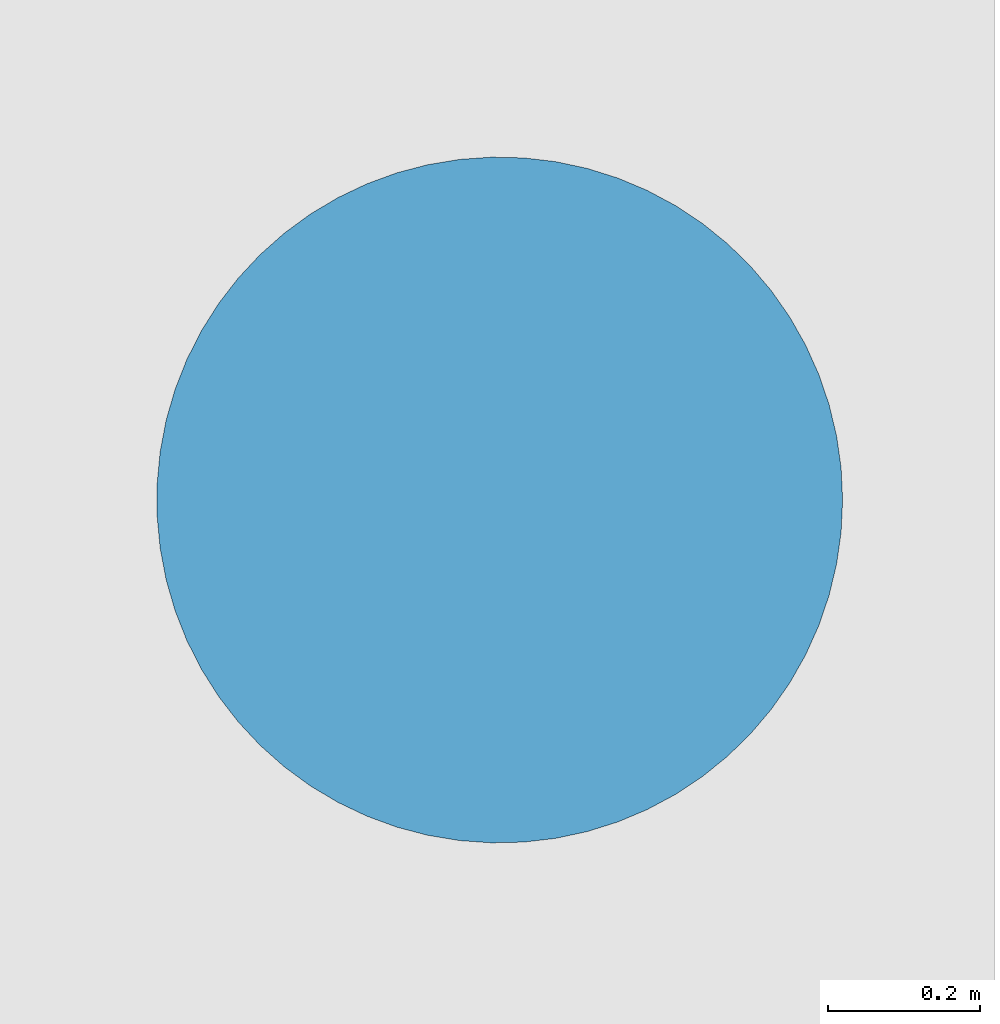
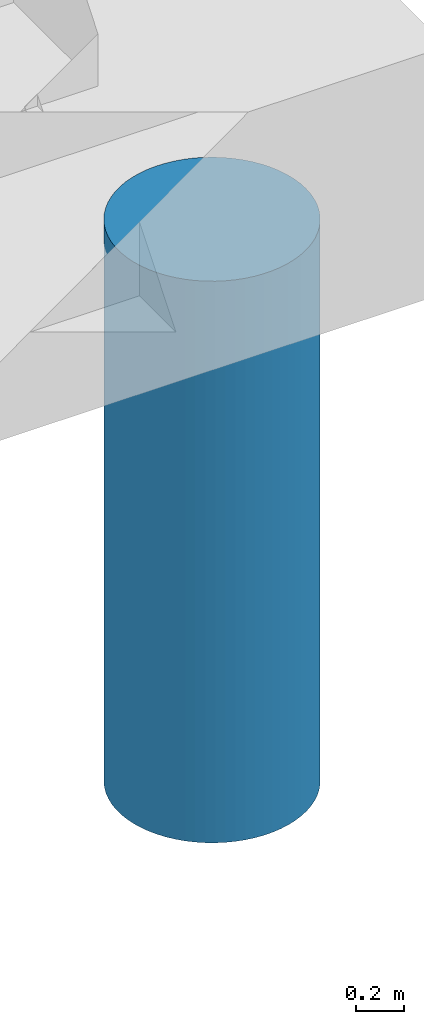
# One storey, part 13 of 61: 1 pile.
"""IFC4 building model written with IfcOpenShell, lengths in metres."""

from ifc_helpers import new_model, si_unit, direction, frame, origin, origin_2d, place, context, subcontext, project, spatial, circle, extrude, material, material_profile, profile_set, type_object, element, save


model = new_model("IFC4")

# Units and contexts
model_context = context("Model", 3, precision=1e-05, world=origin(), true_north=direction((0.0, 1.0)))
body_context = subcontext(model_context, "Body", "Model", "MODEL_VIEW")
ifc_project = project(units=[si_unit("LENGTHUNIT", "METRE"), si_unit("AREAUNIT", "SQUARE_METRE"), si_unit("VOLUMEUNIT", "CUBIC_METRE"), si_unit("PLANEANGLEUNIT", "RADIAN"), si_unit("MASSUNIT", "GRAM", prefix="KILO")], contexts=[model_context])

# Site, building, storey
site_placement = place(None, origin())
site = spatial("IfcSite", under=ifc_project, at=site_placement, CompositionType="ELEMENT")
building_placement = place(site_placement, origin())
building = spatial("IfcBuilding", under=site, at=building_placement, Name="Calvrana Isthmian Art Gallery", CompositionType="ELEMENT")
storey_placement = place(building_placement, frame((0.0, 0.0, -5.39990234375)))
storey = spatial("IfcBuildingStorey", under=building, at=storey_placement, Name="B1", CompositionType="ELEMENT", Elevation=-5.39990234375)

# Pile
ifc_material = material(Name="Concrete C35/45", Category="concrete")
ifc_material_profile = material_profile(ifc_material, circle(Radius=0.449951171875, at=origin_2d()), Name="PILE900D")
ifc_profile_set = profile_set([ifc_material_profile], Name="Concrete C35/45")
pile_type = type_object("IfcPileType", Name="PILE-D900", PredefinedType="BORED", material=ifc_profile_set)
pile_placement = place(storey_placement, frame((164.300048828125, 112.800048828125, -1.150146484375), z_axis=(0.0, 0.0, -1.0), x_axis=(1.0, 0.0, 0.0)))
element("IfcPile", 1, at=pile_placement, inside=storey, type_object=pile_type, Name="Bored pile PL-567", PredefinedType="BORED", context=body_context, shape_type="SweptSolid", body=[
    extrude(circle(Radius=0.449951171875, at=origin_2d()), origin(), (0.0, 0.0, 1.0), 2.85009765625),
])

save(model, "model.ifc")
